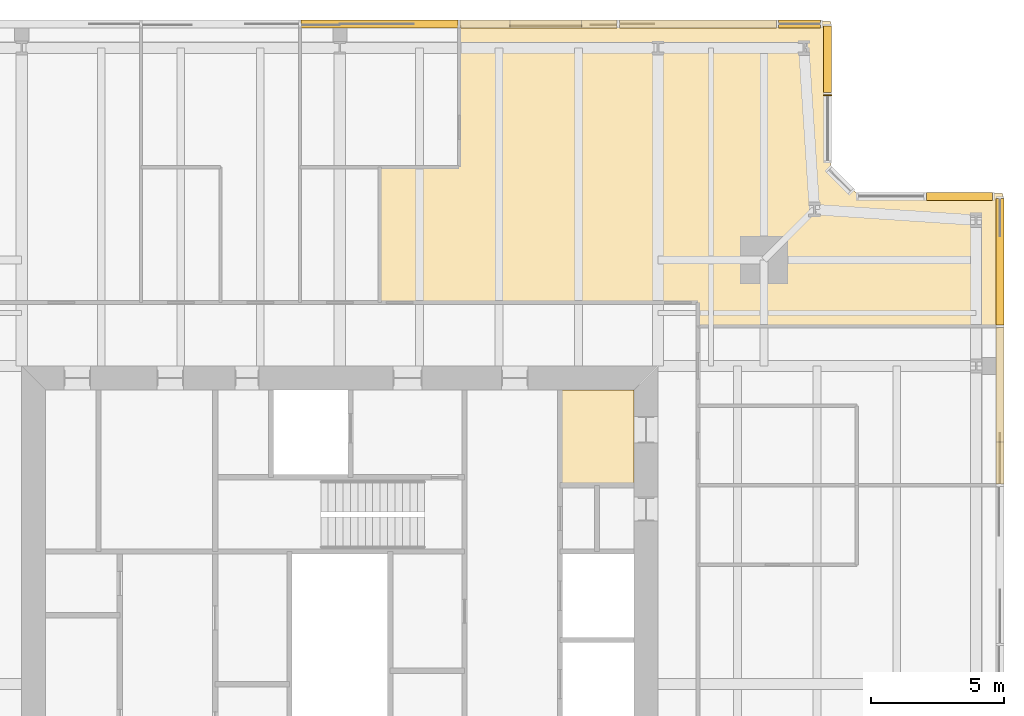
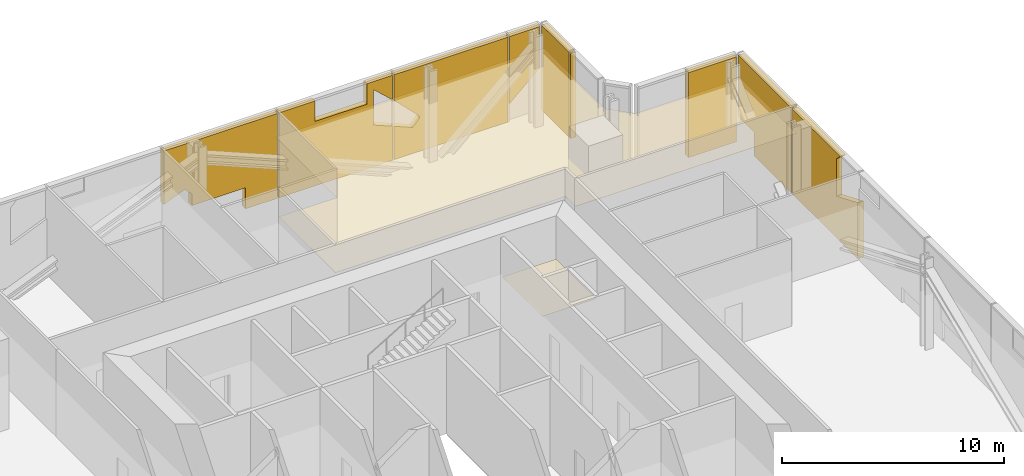
# One storey, part 15 of 15: 11 coverings.
"""IFC4 building model written with IfcOpenShell, lengths in metres."""

from ifc_helpers import new_model, si_unit, direction, frame, origin, place, context, subcontext, project, spatial, polyline, outline, extrude, material, layer, layer_set, type_object, element, save


model = new_model("IFC4")

# Units and contexts
model_context = context("Model", 3, precision=1e-05, world=origin(), true_north=direction((0.0, 1.0)))
body_context = subcontext(model_context, "Body", "Model", "MODEL_VIEW")
ifc_project = project(units=[si_unit("LENGTHUNIT", "METRE"), si_unit("AREAUNIT", "SQUARE_METRE"), si_unit("VOLUMEUNIT", "CUBIC_METRE"), si_unit("PLANEANGLEUNIT", "RADIAN"), si_unit("MASSUNIT", "GRAM", prefix="KILO")], contexts=[model_context])

# Site, building, storey
site_placement = place(None, origin())
site = spatial("IfcSite", under=ifc_project, at=site_placement, CompositionType="ELEMENT")
building_placement = place(site_placement, origin())
building = spatial("IfcBuilding", under=site, at=building_placement, Name="Fenwick Lantern Interchange", CompositionType="ELEMENT")
storey_placement = place(building_placement, frame((0.0, 0.0, 296.800048828125)))
storey = spatial("IfcBuildingStorey", under=building, at=storey_placement, Name="L72", CompositionType="ELEMENT", Elevation=296.800048828125)

# Coverings
ifc_material_1 = material(Name="Granite cladding, warm grey flamed finish, on aluminium carrier frame", Category="masonry")
ifc_layer_1 = layer(ifc_material_1, 0.300048828125)
ifc_layer_set_1 = layer_set([ifc_layer_1], Name="BRACE CASING PANEL 300")
covering_type_1 = type_object("IfcCoveringType", Name="BRACE CASING PANEL 300", PredefinedType="CLADDING", material=ifc_layer_set_1)
covering_1_placement = place(storey_placement, frame((49.89990234375, 6.60009765625, 0.0), z_axis=(0.0, 0.0, 1.0), x_axis=(0.0, 1.0, 0.0)))
element("IfcCovering", 1, at=covering_1_placement, inside=storey, type_object=covering_type_1, Name="Brace casing 05 bay 05a", PredefinedType="CLADDING", context=body_context, shape_type="SweptSolid", body=[
    extrude(outline(polyline([(25.93994140625, 0.0), (31.860107421875, 0.0), (31.860107421875, 4.679931640625), (27.5244140625, 4.679931640625), (27.85693359375, 4.34765625), (27.85693359375, 2.28857421875), (25.93994140625, 3.087158203125), (25.93994140625, 0.0)])), frame((0.0, 0.14990234375, 0.0), z_axis=(0.0, -1.0, 0.0), x_axis=(1.0, 0.0, 0.0)), (0.0, 0.0, 1.0), 0.300048828125),
])
covering_2_placement = place(storey_placement, frame((49.89990234375, 6.60009765625, 0.0), z_axis=(0.0, 0.0, 1.0), x_axis=(0.0, 1.0, 0.0)))
element("IfcCovering", 2, at=covering_2_placement, inside=storey, type_object=covering_type_1, Name="Brace casing 05 bay 06a", PredefinedType="CLADDING", context=body_context, shape_type="SweptSolid", body=[
    extrude(outline(polyline([(31.93994140625, 0.0), (35.2939453125, 0.0), (35.2939453125, 1.29541015625), (36.719970703125, 1.29541015625), (36.719970703125, 4.679931640625), (31.93994140625, 4.679931640625), (31.93994140625, 0.0)])), frame((0.0, 0.14990234375, 0.0), z_axis=(0.0, -1.0, 0.0), x_axis=(1.0, 0.0, 0.0)), (0.0, 0.0, 1.0), 0.300048828125),
])
covering_3_placement = place(storey_placement, frame((49.89990234375, 43.39990234375, 0.0), z_axis=(0.0, 0.0, 1.0), x_axis=(-1.0, 0.0, 0.0)))
element("IfcCovering", 3, at=covering_3_placement, inside=storey, type_object=covering_type_1, Name="Brace casing 06 bay 00a", PredefinedType="CLADDING", context=body_context, shape_type="SweptSolid", body=[
    extrude(outline(polyline([(0.280029296875, 0.0), (2.78076171875, 0.0), (2.78076171875, 4.679931640625), (0.280029296875, 4.679931640625), (0.280029296875, 0.0)])), frame((0.0, 0.14990234375, 0.0), z_axis=(0.0, -1.0, 0.0), x_axis=(1.0, 0.0, 0.0)), (0.0, 0.0, 1.0), 0.300048828125),
])
covering_4_placement = place(storey_placement, frame((43.39990234375, 44.45849609375, 0.0), z_axis=(0.0, 0.0, 1.0), x_axis=(0.0, 1.0, 0.0)))
element("IfcCovering", 4, at=covering_4_placement, inside=storey, type_object=covering_type_1, Name="Brace casing 08 bay 00a", PredefinedType="CLADDING", context=body_context, shape_type="SweptSolid", body=[
    extrude(outline(polyline([(2.741455078125, 0.0), (2.78076171875, 0.0), (2.78076171875, 4.679931640625), (2.741455078125, 4.679931640625), (2.741455078125, 0.0)])), frame((0.0, 0.14990234375, 0.0), z_axis=(0.0, -1.0, 0.0), x_axis=(1.0, 0.0, 0.0)), (0.0, 0.0, 1.0), 0.300048828125),
])
covering_5_placement = place(storey_placement, frame((43.39990234375, 44.45849609375, 0.0), z_axis=(0.0, 0.0, 1.0), x_axis=(0.0, 1.0, 0.0)))
element("IfcCovering", 5, at=covering_5_placement, inside=storey, type_object=covering_type_1, Name="Brace casing 08 bay 01a", PredefinedType="CLADDING", context=body_context, shape_type="SweptSolid", body=[
    extrude(outline(polyline([(2.860595703125, 0.0), (5.361328125, 0.0), (5.361328125, 4.679931640625), (2.860595703125, 4.679931640625), (2.860595703125, 0.0)])), frame((0.0, 0.14990234375, 0.0), z_axis=(0.0, -1.0, 0.0), x_axis=(1.0, 0.0, 0.0)), (0.0, 0.0, 1.0), 0.300048828125),
])
covering_6_placement = place(storey_placement, frame((43.39990234375, 49.89990234375, 0.9736328125), z_axis=(0.0, 0.0, 1.0), x_axis=(-1.0, 0.0, 0.0)))
element("IfcCovering", 6, at=covering_6_placement, inside=storey, type_object=covering_type_1, Name="Brace casing 09 bay 00a", PredefinedType="CLADDING", context=body_context, shape_type="SweptSolid", body=[
    extrude(outline(polyline([(1.860107421875, 0.0), (1.860107421875, 3.706298828125), (0.280029296875, 3.706298828125), (0.280029296875, 1.436279296875), (1.860107421875, 0.0)])), frame((0.0, 0.14990234375, 0.0), z_axis=(0.0, -1.0, 0.0), x_axis=(1.0, 0.0, 0.0)), (0.0, 0.0, 1.0), 0.300048828125),
])
covering_7_placement = place(storey_placement, frame((43.39990234375, 49.89990234375, 0.0), z_axis=(0.0, 0.0, 1.0), x_axis=(-1.0, 0.0, 0.0)))
element("IfcCovering", 7, at=covering_7_placement, inside=storey, type_object=covering_type_1, Name="Brace casing 09 bay 01a", PredefinedType="CLADDING", context=body_context, shape_type="SweptSolid", body=[
    extrude(outline(polyline([(1.93994140625, 0.0), (7.860107421875, 0.0), (7.860107421875, 1.837158203125), (6.891845703125, 1.433837890625), (6.548095703125, 1.8203125), (6.548095703125, 1.952392578125), (7.64501953125, 3.049560546875), (7.860107421875, 3.24658203125), (7.860107421875, 4.679931640625), (1.93994140625, 4.679931640625), (1.93994140625, 0.0)])), frame((0.0, 0.14990234375, 0.0), z_axis=(0.0, -1.0, 0.0), x_axis=(1.0, 0.0, 0.0)), (0.0, 0.0, 1.0), 0.300048828125),
])
covering_8_placement = place(storey_placement, frame((43.39990234375, 49.89990234375, 0.0), z_axis=(0.0, 0.0, 1.0), x_axis=(-1.0, 0.0, 0.0)))
element("IfcCovering", 8, at=covering_8_placement, inside=storey, type_object=covering_type_1, Name="Brace casing 09 bay 02a", PredefinedType="CLADDING", context=body_context, shape_type="SweptSolid", body=[
    extrude(outline(polyline([(7.93994140625, 0.0), (13.860107421875, 0.0), (13.860107421875, 4.679931640625), (11.978271484375, 4.679931640625), (11.978271484375, 3.55322265625), (9.278076171875, 3.55322265625), (9.278076171875, 4.679931640625), (7.93994140625, 4.679931640625), (7.93994140625, 3.31982421875), (8.943115234375, 4.239501953125), (8.943115234375, 2.28857421875), (7.93994140625, 1.87060546875), (7.93994140625, 0.0)])), frame((0.0, 0.14990234375, 0.0), z_axis=(0.0, -1.0, 0.0), x_axis=(1.0, 0.0, 0.0)), (0.0, 0.0, 1.0), 0.300048828125),
])
covering_9_placement = place(storey_placement, frame((43.39990234375, 49.89990234375, 0.0), z_axis=(0.0, 0.0, 1.0), x_axis=(-1.0, 0.0, 0.0)))
element("IfcCovering", 9, at=covering_9_placement, inside=storey, type_object=covering_type_1, Name="Brace casing 09 bay 03a", PredefinedType="CLADDING", context=body_context, shape_type="SweptSolid", body=[
    extrude(outline(polyline([(13.93994140625, 0.0), (15.60498046875, 0.0), (15.60498046875, 1.164306640625), (18.39990234375, 1.164306640625), (18.39990234375, 1.804443359375), (18.770263671875, 2.174560546875), (19.860107421875, 1.720703125), (19.860107421875, 4.679931640625), (13.93994140625, 4.679931640625), (13.93994140625, 0.0)])), frame((0.0, 0.14990234375, 0.0), z_axis=(0.0, -1.0, 0.0), x_axis=(1.0, 0.0, 0.0)), (0.0, 0.0, 1.0), 0.300048828125),
])
ifc_material_2 = material(Name="Moisture resistant gypsum board on suspended frame, painted")
ifc_layer_2 = layer(ifc_material_2, 0.014892578125)
ifc_layer_set_2 = layer_set([ifc_layer_2], Name="MOISTURE RESISTANT CEILING 15")
covering_type_2 = type_object("IfcCoveringType", Name="MOISTURE RESISTANT CEILING 15", PredefinedType="CEILING", material=ifc_layer_set_2)
covering_10_placement = place(storey_placement, frame((0.0, 0.0, 2.599853515625)))
element("IfcCovering", 10, at=covering_10_placement, inside=storey, type_object=covering_type_2, Name="Accessible WC and shower ceiling", PredefinedType="CEILING", context=body_context, shape_type="SweptSolid", body=[
    extrude(outline(polyline([(36.10009765625, 36.10009765625), (33.300048828125, 36.10009765625), (33.300048828125, 32.5), (36.10009765625, 32.5), (36.10009765625, 36.10009765625)])), origin(), (0.0, 0.0, 1.0), 0.01513671875),
])
ifc_material_3 = material(Name="Gypsum plasterboard on suspended frame, painted")
ifc_layer_3 = layer(ifc_material_3, 0.014892578125)
ifc_layer_set_3 = layer_set([ifc_layer_3], Name="PLASTERBOARD CEILING 15")
covering_type_3 = type_object("IfcCoveringType", Name="PLASTERBOARD CEILING 15", PredefinedType="CEILING", material=ifc_layer_set_3)
covering_11_placement = place(storey_placement, frame((0.0, 0.0, 3.199951171875)))
element("IfcCovering", 11, at=covering_11_placement, inside=storey, type_object=covering_type_3, Name="Sky restaurant ceiling", PredefinedType="CEILING", context=body_context, shape_type="SweptSolid", body=[
    extrude(outline(polyline([(29.5, 50.0), (29.5, 44.5), (26.5, 44.5), (26.5, 39.39990234375), (38.5, 39.39990234375), (38.5, 38.5), (50.0, 38.5), (50.0, 43.5), (44.5, 43.5), (43.5, 44.5), (43.5, 50.0), (29.5, 50.0)])), origin(), (0.0, 0.0, 1.0), 0.014892578125),
])

save(model, "model.ifc")
